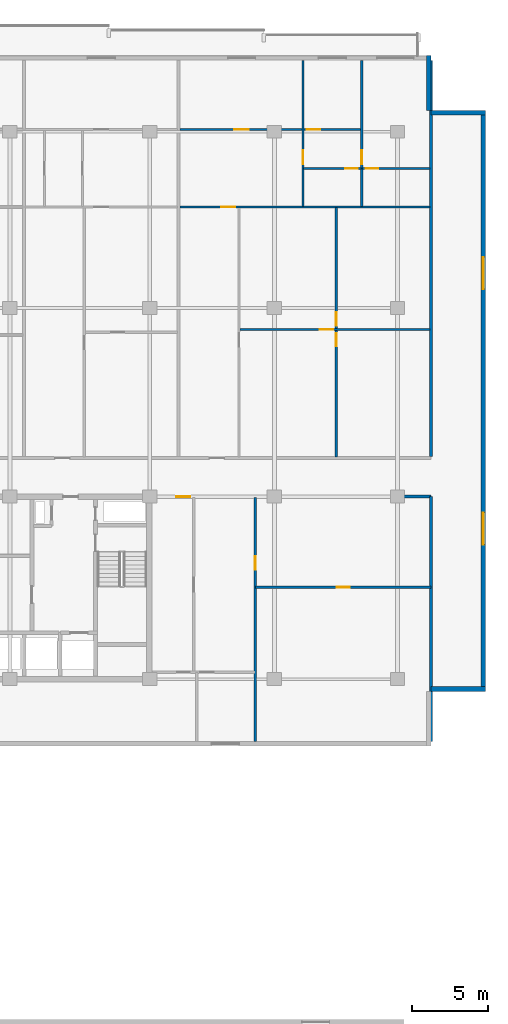
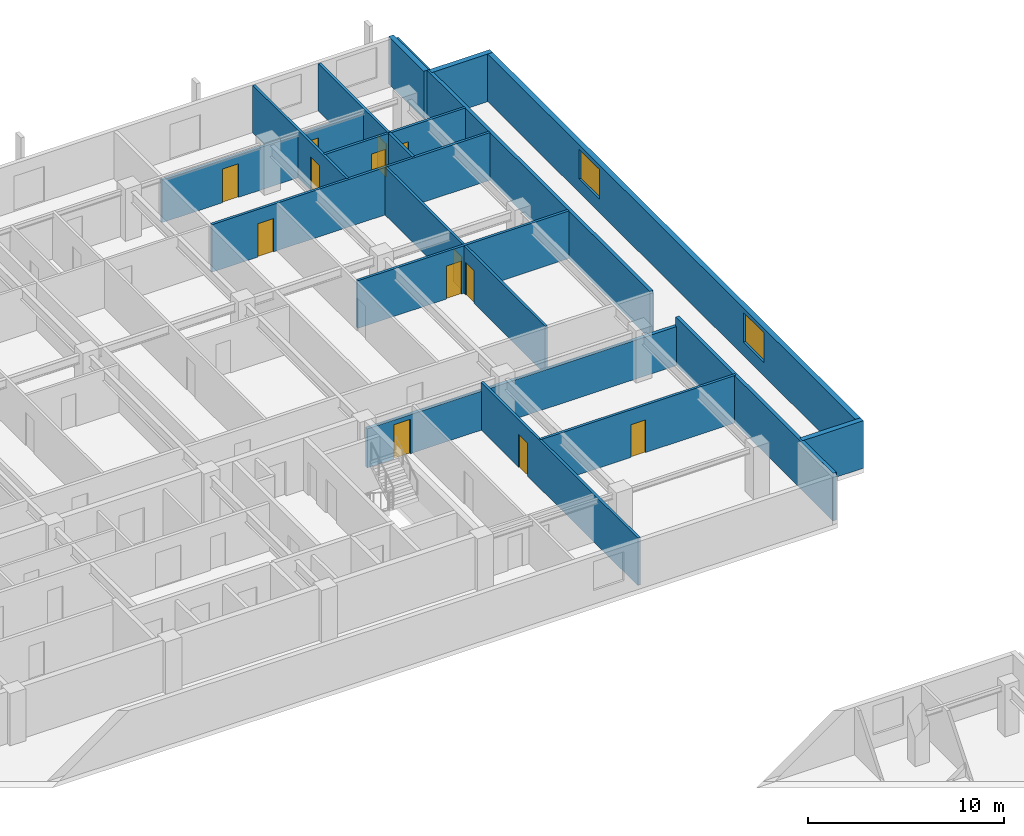
# One storey, part 15 of 21: 17 walls, 13 doors, 2 windows, 15 openings.
"""IFC4 building model written with IfcOpenShell, lengths in metres."""

from ifc_helpers import new_model, si_unit, direction, frame, frame_2d, origin, place, context, subcontext, project, spatial, rectangle, extrude, material, layer, layer_set, type_object, element, fill, save


model = new_model("IFC4")

# Units and contexts
model_context = context("Model", 3, precision=1e-05, world=origin(), true_north=direction((0.0, 1.0)))
body_context = subcontext(model_context, "Body", "Model", "MODEL_VIEW")
ifc_project = project(units=[si_unit("LENGTHUNIT", "METRE"), si_unit("AREAUNIT", "SQUARE_METRE"), si_unit("VOLUMEUNIT", "CUBIC_METRE"), si_unit("PLANEANGLEUNIT", "RADIAN"), si_unit("MASSUNIT", "GRAM", prefix="KILO")], contexts=[model_context])

# Site, building, storey
site_placement = place(None, origin())
site = spatial("IfcSite", under=ifc_project, at=site_placement, CompositionType="ELEMENT")
building_placement = place(site_placement, origin())
building = spatial("IfcBuilding", under=site, at=building_placement, Name="Korimba Cascade Residences", CompositionType="ELEMENT")
storey_placement = place(building_placement, frame((0.0, 0.0, 103.550048828125)))
storey = spatial("IfcBuildingStorey", under=building, at=storey_placement, Name="L29", CompositionType="ELEMENT", Elevation=103.550048828125)

# Wall
ifc_material_1 = material(Name="Precast concrete C40/50", Category="concrete")
ifc_layer_1 = layer(ifc_material_1, 0.300048828125)
ifc_layer_set_1 = layer_set([ifc_layer_1], Name="Precast concrete C40/50")
wall_type_1 = type_object("IfcWallType", Name="EW-STONE-300", PredefinedType="STANDARD", material=ifc_layer_set_1)
wall_1_placement = place(storey_placement, frame((130.60009765625, 54.550048828125, 0.0), z_axis=(0.0, 0.0, 1.0), x_axis=(1.0, 0.0, 0.0)))
element("IfcWall", 1, at=wall_1_placement, inside=storey, type_object=wall_type_1, Name="L29 T1 Perimeter Stone Wall E02", PredefinedType="STANDARD", context=body_context, shape_type="SweptSolid", body=[
    extrude(rectangle(XDim=3.599853515625, YDim=0.300048828125, at=frame_2d((1.7998046875, 0.0))), origin(), (0.0, 0.0, 1.0), 2.969970703125),
])

# Wall, openings, windows
wall_2_placement = place(storey_placement, frame((134.050048828125, 54.39990234375, 0.0), z_axis=(0.0, 0.0, 1.0), x_axis=(0.0, 1.0, 0.0)))
wall_2 = element("IfcWall", 2, at=wall_2_placement, inside=storey, type_object=wall_type_1, Name="L29 T1 Perimeter Stone Wall E03", PredefinedType="STANDARD", context=body_context, shape_type="SweptSolid", body=[
    extrude(rectangle(XDim=38.2001953125, YDim=0.300048828125, at=frame_2d((19.10009765625, 0.0))), origin(), (0.0, 0.0, 1.0), 2.969970703125),
])
opening_1_placement = place(wall_2_placement, frame((9.64599609375, 0.0, 0.85009765625)))
opening_1 = element("IfcOpeningElement", 3, at=opening_1_placement, cuts=wall_2, Name="Opening W-03", PredefinedType="OPENING", context=body_context, shape_type="SweptSolid", body=[
    extrude(rectangle(XDim=2.10009765625, YDim=1.85009765625, at=frame_2d((1.050048828125, 0.925048828125))), frame((0.0, 0.16015625, 0.0), z_axis=(0.0, -1.0, 0.0), x_axis=(1.0, 0.0, 0.0)), (0.0, 0.0, 1.0), 0.320068359375),
])
opening_2_placement = place(wall_2_placement, frame((26.4541015625, 0.0, 0.85009765625)))
opening_2 = element("IfcOpeningElement", 4, at=opening_2_placement, cuts=wall_2, Name="Opening W-03", PredefinedType="OPENING", context=body_context, shape_type="SweptSolid", body=[
    extrude(rectangle(XDim=2.10009765625, YDim=1.85009765625, at=frame_2d((1.050048828125, 0.925048828125))), frame((0.0, 0.16015625, 0.0), z_axis=(0.0, -1.0, 0.0), x_axis=(1.0, 0.0, 0.0)), (0.0, 0.0, 1.0), 0.320068359375),
])
ifc_material_2 = material(Name="Double-Glazed Aluminium Window", Category="aluminium")
window_type = type_object("IfcWindowType", Name="WIN-CRN-2100", PartitioningType="DOUBLE_PANEL_HORIZONTAL", PredefinedType="WINDOW", material=ifc_material_2)
window_1_placement = place(opening_1_placement, origin())
window_1 = element("IfcWindow", 5, at=window_1_placement, inside=storey, type_object=window_type, Name="L29 T1 End View Window 3.1", OverallHeight=1.85009765625, OverallWidth=2.10009765625, PartitioningType="DOUBLE_PANEL_HORIZONTAL", PredefinedType="WINDOW", context=body_context, shape_type="SweptSolid", body=[
    extrude(rectangle(XDim=2.10009765625, YDim=1.85009765625, at=frame_2d((1.050048828125, 0.925048828125))), frame((0.0, 0.030029296875, 0.0), z_axis=(0.0, -1.0, 0.0), x_axis=(1.0, 0.0, 0.0)), (0.0, 0.0, 1.0), 0.06005859375),
])
fill(opening_1, window_1)
window_2_placement = place(opening_2_placement, origin())
window_2 = element("IfcWindow", 6, at=window_2_placement, inside=storey, type_object=window_type, Name="L29 T1 End View Window 3.2", OverallHeight=1.85009765625, OverallWidth=2.10009765625, PartitioningType="DOUBLE_PANEL_HORIZONTAL", PredefinedType="WINDOW", context=body_context, shape_type="SweptSolid", body=[
    extrude(rectangle(XDim=2.10009765625, YDim=1.85009765625, at=frame_2d((1.050048828125, 0.925048828125))), frame((0.0, 0.030029296875, 0.0), z_axis=(0.0, -1.0, 0.0), x_axis=(1.0, 0.0, 0.0)), (0.0, 0.0, 1.0), 0.06005859375),
])
fill(opening_2, window_2)

# Walls
for number, where, z_axis, x_axis, name in (
    (7, (134.199951171875, 92.449951171875, 0.0), (0.0, 0.0, 1.0), (-1.0, 0.0, 0.0), "L29 T1 Perimeter Stone Wall E04"),
    (8, (130.449951171875, 92.60009765625, 0.0), (0.0, 0.0, 1.0), (0.0, 1.0, 0.0), "L29 T1 Perimeter Stone Wall E05"),
):
    element("IfcWall", number, at=place(storey_placement, frame(where, z_axis=z_axis, x_axis=x_axis)), inside=storey, type_object=wall_type_1, Name=name, PredefinedType="STANDARD", context=body_context, shape_type="SweptSolid", body=[
        extrude(rectangle(XDim=3.599853515625, YDim=0.300048828125, at=frame_2d((1.7998046875, 0.0))), origin(), (0.0, 0.0, 1.0), 2.969970703125),
    ])
ifc_layer_2 = layer(ifc_material_1, 0.199951171875)
ifc_layer_set_2 = layer_set([ifc_layer_2], Name="Precast concrete C40/50")
wall_type_2 = type_object("IfcWallType", Name="WAL-IT-200", PredefinedType="PARTITIONING", material=ifc_layer_set_2)
wall_3_placement = place(storey_placement, frame((130.60009765625, 51.10009765625, 0.0), z_axis=(0.0, 0.0, 1.0), x_axis=(0.0, 1.0, 0.0)))
element("IfcWall", 9, at=wall_3_placement, inside=storey, type_object=wall_type_2, Name="L29 Partition Wall WAL-L29-T1-FE-WR", PredefinedType="PARTITIONING", context=body_context, shape_type="SweptSolid", body=[
    extrude(rectangle(XDim=16.099853515625, YDim=0.199951171875, at=frame_2d((8.0498046875, 0.0))), origin(), (0.0, 0.0, 1.0), 2.969970703125),
])

# Wall, opening, door
wall_4_placement = place(storey_placement, frame((112.25, 67.199951171875, 0.0), z_axis=(0.0, 0.0, 1.0), x_axis=(1.0, 0.0, 0.0)))
wall_4 = element("IfcWall", 10, at=wall_4_placement, inside=storey, type_object=wall_type_2, Name="L29 Partition Wall WAL-L29-T1-FE-N", PredefinedType="PARTITIONING", context=body_context, shape_type="SweptSolid", body=[
    extrude(rectangle(XDim=18.35009765625, YDim=0.199951171875, at=frame_2d((9.175048828125, 0.0))), origin(), (0.0, 0.0, 1.0), 2.433349609375),
])
opening_3_placement = place(wall_4_placement, frame((1.580078125, 0.0, 0.0)))
opening_3 = element("IfcOpeningElement", 11, at=opening_3_placement, cuts=wall_4, Name="Opening D-UN1", PredefinedType="OPENING", context=body_context, shape_type="SweptSolid", body=[
    extrude(rectangle(XDim=0.949951171875, YDim=2.14990234375, at=frame_2d((0.47509765625, 1.074951171875))), frame((0.0, 0.10986328125, 0.0), z_axis=(0.0, -1.0, 0.0), x_axis=(1.0, 0.0, 0.0)), (0.0, 0.0, 1.0), 0.219970703125),
])
ifc_material_3 = material(Name="Fire-Rated Hardwood Apartment Entrance Door", Category="wood")
door_type_1 = type_object("IfcDoorType", Name="DR-FD60-950", OperationType="NOTDEFINED", PredefinedType="DOOR", material=ifc_material_3)
door_1_placement = place(opening_3_placement, origin())
door_1 = element("IfcDoor", 12, at=door_1_placement, inside=storey, type_object=door_type_1, Name="L29-T1-FE Entrance Door", OperationType="SINGLE_SWING_RIGHT", OverallHeight=2.14990234375, OverallWidth=0.949951171875, PredefinedType="DOOR", context=body_context, shape_type="SweptSolid", body=[
    extrude(rectangle(XDim=0.949951171875, YDim=2.14990234375, at=frame_2d((0.47509765625, 1.074951171875))), frame((0.0, 0.02490234375, 0.0), z_axis=(0.0, -1.0, 0.0), x_axis=(1.0, 0.0, 0.0)), (0.0, 0.0, 1.0), 0.050048828125),
])
fill(opening_3, door_1)

# Wall
wall_5_placement = place(storey_placement, frame((130.60009765625, 69.830078125, 0.0), z_axis=(0.0, 0.0, 1.0), x_axis=(0.0, 1.0, 0.0)))
element("IfcWall", 13, at=wall_5_placement, inside=storey, type_object=wall_type_2, Name="L29 Partition Wall WAL-L29-T1-BNDWR", PredefinedType="PARTITIONING", context=body_context, shape_type="SweptSolid", body=[
    extrude(rectangle(XDim=26.06982421875, YDim=0.199951171875, at=frame_2d((13.034912109375, 0.0))), origin(), (0.0, 0.0, 1.0), 2.969970703125),
])

# Wall, opening, door
ifc_material_4 = material(Name="Insulated Acoustic Stud Partition", Category="gypsum")
ifc_layer_3 = layer(ifc_material_4, 0.14990234375)
ifc_layer_set_3 = layer_set([ifc_layer_3], Name="Insulated Acoustic Stud Partition")
wall_type_3 = type_object("IfcWallType", Name="WAL-PART-150", PredefinedType="PARTITIONING", material=ifc_layer_set_3)
wall_6_placement = place(storey_placement, frame((119.050048828125, 61.25, 0.0), z_axis=(0.0, 0.0, 1.0), x_axis=(1.0, 0.0, 0.0)))
wall_6 = element("IfcWall", 14, at=wall_6_placement, inside=storey, type_object=wall_type_3, Name="L29 Partition Wall WAL-L29-T1-FE-STH", PredefinedType="PARTITIONING", context=body_context, shape_type="SweptSolid", body=[
    extrude(rectangle(XDim=11.550048828125, YDim=0.14990234375, at=frame_2d((5.77490234375, 0.0))), origin(), (0.0, 0.0, 1.0), 2.969970703125),
])
opening_4_placement = place(wall_6_placement, frame((5.35498046875, 0.0, 0.0)))
opening_4 = element("IfcOpeningElement", 15, at=opening_4_placement, cuts=wall_6, Name="Opening D-BT1", PredefinedType="OPENING", context=body_context, shape_type="SweptSolid", body=[
    extrude(rectangle(XDim=0.840087890625, YDim=2.0400390625, at=frame_2d((0.419921875, 1.02001953125))), frame((0.0, 0.0849609375, 0.0), z_axis=(0.0, -1.0, 0.0), x_axis=(1.0, 0.0, 0.0)), (0.0, 0.0, 1.0), 0.169921875),
])
ifc_material_5 = material(Name="Moisture-Resistant Bathroom Timber Door", Category="wood")
door_type_2 = type_object("IfcDoorType", Name="DR-INT-850", OperationType="NOTDEFINED", PredefinedType="DOOR", material=ifc_material_5)
door_2_placement = place(opening_4_placement, origin())
door_2 = element("IfcDoor", 16, at=door_2_placement, inside=storey, type_object=door_type_2, Name="L29-T1-FE Dressing Store Door", OperationType="SINGLE_SWING_LEFT", OverallHeight=2.0400390625, OverallWidth=0.840087890625, PredefinedType="DOOR", context=body_context, shape_type="SweptSolid", body=[
    extrude(rectangle(XDim=0.840087890625, YDim=2.0400390625, at=frame_2d((0.419921875, 1.02001953125))), frame((0.0, 0.02490234375, 0.0), z_axis=(0.0, -1.0, 0.0), x_axis=(1.0, 0.0, 0.0)), (0.0, 0.0, 1.0), 0.050048828125),
])
fill(opening_4, door_2)

wall_7_placement = place(storey_placement, frame((119.050048828125, 51.10009765625, 0.0), z_axis=(0.0, 0.0, 1.0), x_axis=(0.0, 1.0, 0.0)))
wall_7 = element("IfcWall", 17, at=wall_7_placement, inside=storey, type_object=wall_type_3, Name="L29 Partition Wall WAL-L29-T1-FE-STV", PredefinedType="PARTITIONING", context=body_context, shape_type="SweptSolid", body=[
    extrude(rectangle(XDim=16.0498046875, YDim=0.14990234375, at=frame_2d((8.02490234375, 0.0))), origin(), (0.0, 0.0, 1.0), 2.969970703125),
])
opening_5_placement = place(wall_7_placement, frame((11.300048828125, 0.0, 0.0)))
opening_5 = element("IfcOpeningElement", 18, at=opening_5_placement, cuts=wall_7, Name="Opening D-IN2", PredefinedType="OPENING", context=body_context, shape_type="SweptSolid", body=[
    extrude(rectangle(XDim=0.8798828125, YDim=2.06005859375, at=frame_2d((0.43994140625, 1.030029296875))), frame((0.0, 0.0849609375, 0.0), z_axis=(0.0, -1.0, 0.0), x_axis=(1.0, 0.0, 0.0)), (0.0, 0.0, 1.0), 0.169921875),
])
ifc_material_6 = material(Name="Acoustic Timber Bedroom Door", Category="wood")
door_type_3 = type_object("IfcDoorType", Name="DR-INT-880", OperationType="NOTDEFINED", PredefinedType="DOOR", material=ifc_material_6)
door_3_placement = place(opening_5_placement, origin())
door_3 = element("IfcDoor", 19, at=door_3_placement, inside=storey, type_object=door_type_3, Name="L29-T1-FE Study Door", OperationType="SINGLE_SWING_RIGHT", OverallHeight=2.06005859375, OverallWidth=0.8798828125, PredefinedType="DOOR", context=body_context, shape_type="SweptSolid", body=[
    extrude(rectangle(XDim=0.8798828125, YDim=2.06005859375, at=frame_2d((0.43994140625, 1.030029296875))), frame((0.0, 0.02490234375, 0.0), z_axis=(0.0, -1.0, 0.0), x_axis=(1.0, 0.0, 0.0)), (0.0, 0.0, 1.0), 0.050048828125),
])
fill(opening_5, door_3)

# Wall, openings, doors
wall_8_placement = place(storey_placement, frame((124.376953125, 69.81005859375, 0.0), z_axis=(0.0, 0.0, 1.0), x_axis=(0.0, 1.0, 0.0)))
wall_8 = element("IfcWall", 20, at=wall_8_placement, inside=storey, type_object=wall_type_3, Name="L29 Partition Wall WAL-L29-T1-U05-FMV", PredefinedType="PARTITIONING", context=body_context, shape_type="SweptSolid", body=[
    extrude(rectangle(XDim=16.39990234375, YDim=0.14990234375, at=frame_2d((8.199951171875, 0.0))), origin(), (0.0, 0.0, 1.0), 2.969970703125),
])
opening_6_placement = place(wall_8_placement, frame((7.2900390625, 0.0, 0.0)))
opening_6 = element("IfcOpeningElement", 21, at=opening_6_placement, cuts=wall_8, Name="Opening D-BT1", PredefinedType="OPENING", context=body_context, shape_type="SweptSolid", body=[
    extrude(rectangle(XDim=0.840087890625, YDim=2.0400390625, at=frame_2d((0.419921875, 1.02001953125))), frame((0.0, 0.0849609375, 0.0), z_axis=(0.0, -1.0, 0.0), x_axis=(1.0, 0.0, 0.0)), (0.0, 0.0, 1.0), 0.169921875),
])
opening_7_placement = place(wall_8_placement, frame((8.6298828125, 0.0, 0.0)))
opening_7 = element("IfcOpeningElement", 22, at=opening_7_placement, cuts=wall_8, Name="Opening D-IN2", PredefinedType="OPENING", context=body_context, shape_type="SweptSolid", body=[
    extrude(rectangle(XDim=0.8798828125, YDim=2.06005859375, at=frame_2d((0.43994140625, 1.030029296875))), frame((0.0, 0.0849609375, 0.0), z_axis=(0.0, -1.0, 0.0), x_axis=(1.0, 0.0, 0.0)), (0.0, 0.0, 1.0), 0.169921875),
])
door_4_placement = place(opening_6_placement, origin())
door_4 = element("IfcDoor", 23, at=door_4_placement, inside=storey, type_object=door_type_2, Name="L29-T1-U05 Wardrobe Door", OperationType="SINGLE_SWING_RIGHT", OverallHeight=2.0400390625, OverallWidth=0.840087890625, PredefinedType="DOOR", context=body_context, shape_type="SweptSolid", body=[
    extrude(rectangle(XDim=0.840087890625, YDim=2.0400390625, at=frame_2d((0.419921875, 1.02001953125))), frame((0.0, 0.02490234375, 0.0), z_axis=(0.0, -1.0, 0.0), x_axis=(1.0, 0.0, 0.0)), (0.0, 0.0, 1.0), 0.050048828125),
])
fill(opening_6, door_4)
door_5_placement = place(opening_7_placement, origin())
door_5 = element("IfcDoor", 24, at=door_5_placement, inside=storey, type_object=door_type_3, Name="L29-T1-U05 Music Lounge Door", OperationType="SINGLE_SWING_LEFT", OverallHeight=2.06005859375, OverallWidth=0.8798828125, PredefinedType="DOOR", context=body_context, shape_type="SweptSolid", body=[
    extrude(rectangle(XDim=0.8798828125, YDim=2.06005859375, at=frame_2d((0.43994140625, 1.030029296875))), frame((0.0, 0.02490234375, 0.0), z_axis=(0.0, -1.0, 0.0), x_axis=(1.0, 0.0, 0.0)), (0.0, 0.0, 1.0), 0.050048828125),
])
fill(opening_7, door_5)

# Wall, opening, door
wall_9_placement = place(storey_placement, frame((118.033935546875, 78.18994140625, 0.0), z_axis=(0.0, 0.0, 1.0), x_axis=(1.0, 0.0, 0.0)))
wall_9 = element("IfcWall", 25, at=wall_9_placement, inside=storey, type_object=wall_type_3, Name="L29 Partition Wall WAL-L29-T1-U05-FMH", PredefinedType="PARTITIONING", context=body_context, shape_type="SweptSolid", body=[
    extrude(rectangle(XDim=12.486083984375, YDim=0.14990234375, at=frame_2d((6.2431640625, 0.0))), origin(), (0.0, 0.0, 1.0), 2.969970703125),
])
opening_8_placement = place(wall_9_placement, frame((5.242919921875, 0.0, 0.0)))
opening_8 = element("IfcOpeningElement", 26, at=opening_8_placement, cuts=wall_9, Name="Opening D-IN2", PredefinedType="OPENING", context=body_context, shape_type="SweptSolid", body=[
    extrude(rectangle(XDim=0.8798828125, YDim=2.06005859375, at=frame_2d((0.43994140625, 1.030029296875))), frame((0.0, 0.0849609375, 0.0), z_axis=(0.0, -1.0, 0.0), x_axis=(1.0, 0.0, 0.0)), (0.0, 0.0, 1.0), 0.169921875),
])
door_6_placement = place(opening_8_placement, origin())
door_6 = element("IfcDoor", 27, at=door_6_placement, inside=storey, type_object=door_type_3, Name="L29-T1-U05 Library Salon Door", OperationType="SINGLE_SWING_RIGHT", OverallHeight=2.06005859375, OverallWidth=0.8798828125, PredefinedType="DOOR", context=body_context, shape_type="SweptSolid", body=[
    extrude(rectangle(XDim=0.8798828125, YDim=2.06005859375, at=frame_2d((0.43994140625, 1.030029296875))), frame((0.0, 0.02490234375, 0.0), z_axis=(0.0, -1.0, 0.0), x_axis=(1.0, 0.0, 0.0)), (0.0, 0.0, 1.0), 0.050048828125),
])
fill(opening_8, door_6)

wall_10_placement = place(storey_placement, frame((122.179931640625, 86.2900390625, 0.0), z_axis=(0.0, 0.0, 1.0), x_axis=(0.0, 1.0, 0.0)))
wall_10 = element("IfcWall", 28, at=wall_10_placement, inside=storey, type_object=wall_type_3, Name="L29 Partition Wall WAL-L29-T1-U05-V1", PredefinedType="PARTITIONING", context=body_context, shape_type="SweptSolid", body=[
    extrude(rectangle(XDim=9.60986328125, YDim=0.14990234375, at=frame_2d((4.804931640625, 0.0))), origin(), (0.0, 0.0, 1.0), 2.969970703125),
])
opening_9_placement = place(wall_10_placement, frame((2.77001953125, 0.0, 0.0)))
opening_9 = element("IfcOpeningElement", 29, at=opening_9_placement, cuts=wall_10, Name="Opening D-IN1", PredefinedType="OPENING", context=body_context, shape_type="SweptSolid", body=[
    extrude(rectangle(XDim=0.919921875, YDim=2.080078125, at=frame_2d((0.4599609375, 1.0400390625))), frame((0.0, 0.0849609375, 0.0), z_axis=(0.0, -1.0, 0.0), x_axis=(1.0, 0.0, 0.0)), (0.0, 0.0, 1.0), 0.169921875),
])
ifc_material_7 = material(Name="Acoustic Timber Living Door", Category="wood")
door_type_4 = type_object("IfcDoorType", Name="DR-INT-920", OperationType="NOTDEFINED", PredefinedType="DOOR", material=ifc_material_7)
door_7_placement = place(opening_9_placement, origin())
door_7 = element("IfcDoor", 30, at=door_7_placement, inside=storey, type_object=door_type_4, Name="L29-T1-U05 Hallway Door", OperationType="SINGLE_SWING_RIGHT", OverallHeight=2.080078125, OverallWidth=0.919921875, PredefinedType="DOOR", context=body_context, shape_type="SweptSolid", body=[
    extrude(rectangle(XDim=0.919921875, YDim=2.080078125, at=frame_2d((0.4599609375, 1.0400390625))), frame((0.0, 0.02490234375, 0.0), z_axis=(0.0, -1.0, 0.0), x_axis=(1.0, 0.0, 0.0)), (0.0, 0.0, 1.0), 0.050048828125),
])
fill(opening_9, door_7)

# Wall
wall_11_placement = place(storey_placement, frame((126.050048828125, 86.2900390625, 0.0), z_axis=(0.0, 0.0, 1.0), x_axis=(0.0, 1.0, 0.0)))
element("IfcWall", 31, at=wall_11_placement, inside=storey, type_object=wall_type_3, Name="L29 Partition Wall WAL-L29-T1-U05-VBATH", PredefinedType="PARTITIONING", context=body_context, shape_type="SweptSolid", body=[
    extrude(rectangle(XDim=2.469970703125, YDim=0.14990234375, at=frame_2d((1.23486328125, 0.0))), origin(), (0.0, 0.0, 1.0), 2.969970703125),
])

# Wall, opening, door
wall_12_placement = place(storey_placement, frame((126.050048828125, 88.800048828125, 0.0), z_axis=(0.0, 0.0, 1.0), x_axis=(0.0, 1.0, 0.0)))
wall_12 = element("IfcWall", 32, at=wall_12_placement, inside=storey, type_object=wall_type_3, Name="L29 Partition Wall WAL-L29-T1-U05-V2FULL", PredefinedType="PARTITIONING", context=body_context, shape_type="SweptSolid", body=[
    extrude(rectangle(XDim=7.099853515625, YDim=0.14990234375, at=frame_2d((3.5498046875, 0.0))), origin(), (0.0, 0.0, 1.0), 2.969970703125),
])
opening_10_placement = place(wall_12_placement, frame((0.260009765625, 0.0, 0.0)))
opening_10 = element("IfcOpeningElement", 33, at=opening_10_placement, cuts=wall_12, Name="Opening D-IN1", PredefinedType="OPENING", context=body_context, shape_type="SweptSolid", body=[
    extrude(rectangle(XDim=0.919921875, YDim=2.080078125, at=frame_2d((0.4599609375, 1.0400390625))), frame((0.0, 0.0849609375, 0.0), z_axis=(0.0, -1.0, 0.0), x_axis=(1.0, 0.0, 0.0)), (0.0, 0.0, 1.0), 0.169921875),
])
door_8_placement = place(opening_10_placement, origin())
door_8 = element("IfcDoor", 34, at=door_8_placement, inside=storey, type_object=door_type_4, Name="L29-T1-U05 Master Bedroom Door", OperationType="SINGLE_SWING_LEFT", OverallHeight=2.080078125, OverallWidth=0.919921875, PredefinedType="DOOR", context=body_context, shape_type="SweptSolid", body=[
    extrude(rectangle(XDim=0.919921875, YDim=2.080078125, at=frame_2d((0.4599609375, 1.0400390625))), frame((0.0, 0.02490234375, 0.0), z_axis=(0.0, -1.0, 0.0), x_axis=(1.0, 0.0, 0.0)), (0.0, 0.0, 1.0), 0.050048828125),
])
fill(opening_10, door_8)

# Wall, openings, doors
wall_13_placement = place(storey_placement, frame((122.219970703125, 88.780029296875, 0.0), z_axis=(0.0, 0.0, 1.0), x_axis=(1.0, 0.0, 0.0)))
wall_13 = element("IfcWall", 35, at=wall_13_placement, inside=storey, type_object=wall_type_3, Name="L29 Partition Wall WAL-L29-T1-U05-HWALL", PredefinedType="PARTITIONING", context=body_context, shape_type="SweptSolid", body=[
    extrude(rectangle(XDim=8.300048828125, YDim=0.14990234375, at=frame_2d((4.14990234375, 0.0))), origin(), (0.0, 0.0, 1.0), 2.969970703125),
])
opening_11_placement = place(wall_13_placement, frame((2.739990234375, 0.0, 0.0)))
opening_11 = element("IfcOpeningElement", 36, at=opening_11_placement, cuts=wall_13, Name="Opening D-BT1", PredefinedType="OPENING", context=body_context, shape_type="SweptSolid", body=[
    extrude(rectangle(XDim=0.840087890625, YDim=2.0400390625, at=frame_2d((0.419921875, 1.02001953125))), frame((0.0, 0.0849609375, 0.0), z_axis=(0.0, -1.0, 0.0), x_axis=(1.0, 0.0, 0.0)), (0.0, 0.0, 1.0), 0.169921875),
])
opening_12_placement = place(wall_13_placement, frame((4.080078125, 0.0, 0.0)))
opening_12 = element("IfcOpeningElement", 37, at=opening_12_placement, cuts=wall_13, Name="Opening D-BT1", PredefinedType="OPENING", context=body_context, shape_type="SweptSolid", body=[
    extrude(rectangle(XDim=0.840087890625, YDim=2.0400390625, at=frame_2d((0.419921875, 1.02001953125))), frame((0.0, 0.0849609375, 0.0), z_axis=(0.0, -1.0, 0.0), x_axis=(1.0, 0.0, 0.0)), (0.0, 0.0, 1.0), 0.169921875),
])
door_9_placement = place(opening_11_placement, origin())
door_9 = element("IfcDoor", 38, at=door_9_placement, inside=storey, type_object=door_type_2, Name="L29-T1-U05 Family Bathroom Door", OperationType="SINGLE_SWING_RIGHT", OverallHeight=2.0400390625, OverallWidth=0.840087890625, PredefinedType="DOOR", context=body_context, shape_type="SweptSolid", body=[
    extrude(rectangle(XDim=0.840087890625, YDim=2.0400390625, at=frame_2d((0.419921875, 1.02001953125))), frame((0.0, 0.02490234375, 0.0), z_axis=(0.0, -1.0, 0.0), x_axis=(1.0, 0.0, 0.0)), (0.0, 0.0, 1.0), 0.050048828125),
])
fill(opening_11, door_9)
door_10_placement = place(opening_12_placement, origin())
door_10 = element("IfcDoor", 39, at=door_10_placement, inside=storey, type_object=door_type_2, Name="L29-T1-U05 En-Suite Door", OperationType="SINGLE_SWING_LEFT", OverallHeight=2.0400390625, OverallWidth=0.840087890625, PredefinedType="DOOR", context=body_context, shape_type="SweptSolid", body=[
    extrude(rectangle(XDim=0.840087890625, YDim=2.0400390625, at=frame_2d((0.419921875, 1.02001953125))), frame((0.0, 0.02490234375, 0.0), z_axis=(0.0, -1.0, 0.0), x_axis=(1.0, 0.0, 0.0)), (0.0, 0.0, 1.0), 0.050048828125),
])
fill(opening_12, door_10)

# Wall, opening, door
wall_14_placement = place(storey_placement, frame((114.083984375, 86.25, 0.0), z_axis=(0.0, 0.0, 1.0), x_axis=(1.0, 0.0, 0.0)))
wall_14 = element("IfcWall", 40, at=wall_14_placement, inside=storey, type_object=wall_type_3, Name="L29 Partition Wall WAL-L29-T1-U05-MW", PredefinedType="PARTITIONING", context=body_context, shape_type="SweptSolid", body=[
    extrude(rectangle(XDim=16.43603515625, YDim=0.14990234375, at=frame_2d((8.218017578125, 0.0))), origin(), (0.0, 0.0, 1.0), 2.969970703125),
])
opening_13_placement = place(wall_14_placement, frame((2.719970703125, 0.0, 0.0)))
opening_13 = element("IfcOpeningElement", 41, at=opening_13_placement, cuts=wall_14, Name="Opening D-IN1", PredefinedType="OPENING", context=body_context, shape_type="SweptSolid", body=[
    extrude(rectangle(XDim=0.919921875, YDim=2.080078125, at=frame_2d((0.4599609375, 1.0400390625))), frame((0.0, 0.0849609375, 0.0), z_axis=(0.0, -1.0, 0.0), x_axis=(1.0, 0.0, 0.0)), (0.0, 0.0, 1.0), 0.169921875),
])
door_11_placement = place(opening_13_placement, origin())
door_11 = element("IfcDoor", 42, at=door_11_placement, inside=storey, type_object=door_type_4, Name="L29-T1-U05 Kitchen Door", OperationType="SINGLE_SWING_RIGHT", OverallHeight=2.080078125, OverallWidth=0.919921875, PredefinedType="DOOR", context=body_context, shape_type="SweptSolid", body=[
    extrude(rectangle(XDim=0.919921875, YDim=2.080078125, at=frame_2d((0.4599609375, 1.0400390625))), frame((0.0, 0.02490234375, 0.0), z_axis=(0.0, -1.0, 0.0), x_axis=(1.0, 0.0, 0.0)), (0.0, 0.0, 1.0), 0.050048828125),
])
fill(opening_13, door_11)

# Wall, openings, doors
wall_15_placement = place(storey_placement, frame((114.083984375, 91.35009765625, 0.0), z_axis=(0.0, 0.0, 1.0), x_axis=(1.0, 0.0, 0.0)))
wall_15 = element("IfcWall", 43, at=wall_15_placement, inside=storey, type_object=wall_type_3, Name="L29 Partition Wall WAL-L29-T1-U05-HZ", PredefinedType="PARTITIONING", context=body_context, shape_type="SweptSolid", body=[
    extrude(rectangle(XDim=11.966064453125, YDim=0.14990234375, at=frame_2d((5.98291015625, 0.0))), origin(), (0.0, 0.0, 1.0), 2.663330078125),
])
opening_14_placement = place(wall_15_placement, frame((3.578125, 0.0, 0.0)))
opening_14 = element("IfcOpeningElement", 44, at=opening_14_placement, cuts=wall_15, Name="Opening D-IN0", PredefinedType="OPENING", context=body_context, shape_type="SweptSolid", body=[
    extrude(rectangle(XDim=0.93994140625, YDim=2.10009765625, at=frame_2d((0.469970703125, 1.050048828125))), frame((0.0, 0.0849609375, 0.0), z_axis=(0.0, -1.0, 0.0), x_axis=(1.0, 0.0, 0.0)), (0.0, 0.0, 1.0), 0.169921875),
])
opening_15_placement = place(wall_15_placement, frame((8.34619140625, 0.0, 0.0)))
opening_15 = element("IfcOpeningElement", 45, at=opening_15_placement, cuts=wall_15, Name="Opening D-IN2", PredefinedType="OPENING", context=body_context, shape_type="SweptSolid", body=[
    extrude(rectangle(XDim=0.8798828125, YDim=2.06005859375, at=frame_2d((0.43994140625, 1.030029296875))), frame((0.0, 0.0849609375, 0.0), z_axis=(0.0, -1.0, 0.0), x_axis=(1.0, 0.0, 0.0)), (0.0, 0.0, 1.0), 0.169921875),
])
door_12_placement = place(opening_15_placement, origin())
door_12 = element("IfcDoor", 46, at=door_12_placement, inside=storey, type_object=door_type_3, Name="L29-T1-U05 Bedroom 2 Door", OperationType="SINGLE_SWING_RIGHT", OverallHeight=2.06005859375, OverallWidth=0.8798828125, PredefinedType="DOOR", context=body_context, shape_type="SweptSolid", body=[
    extrude(rectangle(XDim=0.8798828125, YDim=2.06005859375, at=frame_2d((0.43994140625, 1.030029296875))), frame((0.0, 0.02490234375, 0.0), z_axis=(0.0, -1.0, 0.0), x_axis=(1.0, 0.0, 0.0)), (0.0, 0.0, 1.0), 0.050048828125),
])
fill(opening_15, door_12)
ifc_material_8 = material(Name="Acoustic Timber Living Archway Door", Category="wood")
door_type_5 = type_object("IfcDoorType", Name="DR-INT-950", OperationType="NOTDEFINED", PredefinedType="DOOR", material=ifc_material_8)
door_13_placement = place(opening_14_placement, origin())
door_13 = element("IfcDoor", 47, at=door_13_placement, inside=storey, type_object=door_type_5, Name="L29-T1-U05 Living Room Door", OperationType="SINGLE_SWING_LEFT", OverallHeight=2.10009765625, OverallWidth=0.93994140625, PredefinedType="DOOR", context=body_context, shape_type="SweptSolid", body=[
    extrude(rectangle(XDim=0.93994140625, YDim=2.10009765625, at=frame_2d((0.469970703125, 1.050048828125))), frame((0.0, 0.02490234375, 0.0), z_axis=(0.0, -1.0, 0.0), x_axis=(1.0, 0.0, 0.0)), (0.0, 0.0, 1.0), 0.050048828125),
])
fill(opening_14, door_13)

save(model, "model.ifc")
